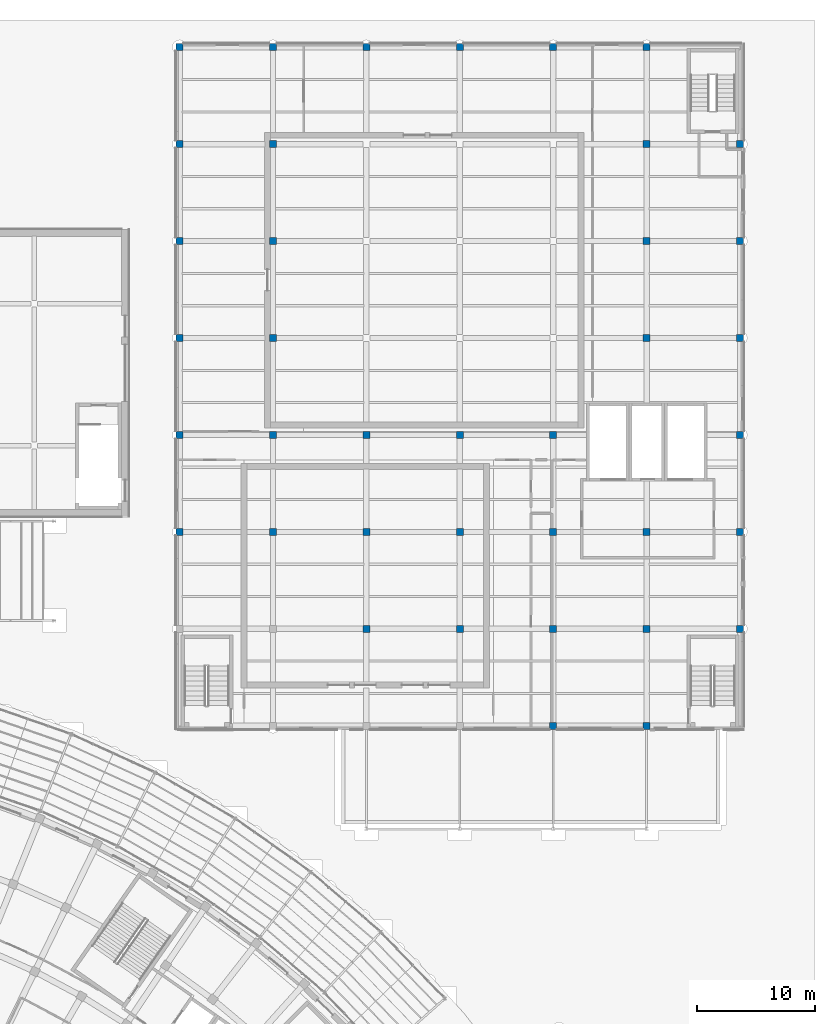
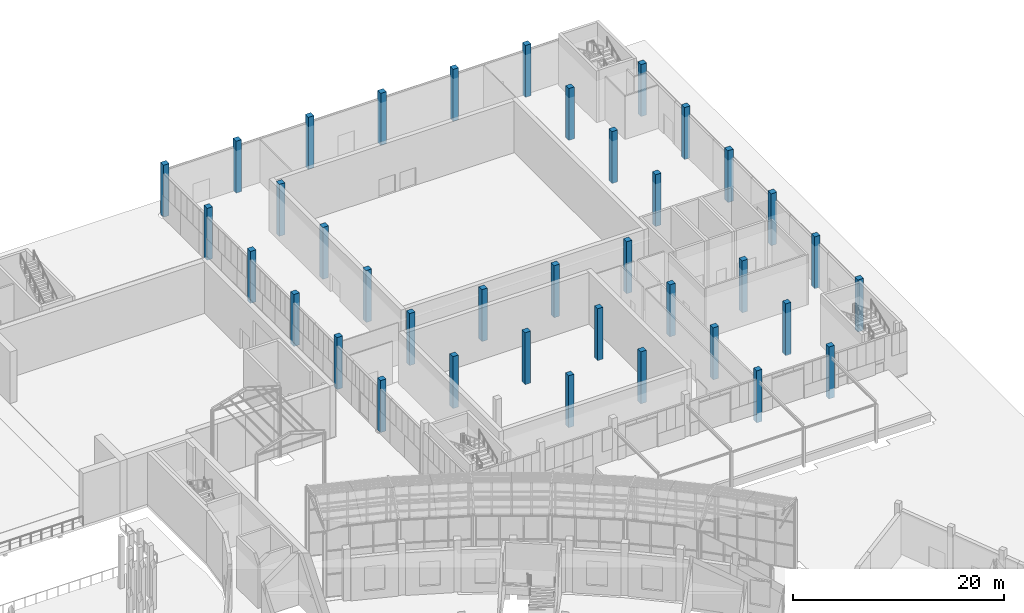
# One storey, part 20 of 155: 38 columns.
"""IFC4 building model written with IfcOpenShell, lengths in metres."""

from ifc_helpers import new_model, si_unit, direction, frame, origin, origin_2d, place, context, subcontext, project, spatial, rectangle, extrude, material, material_profile, profile_set, type_object, element, save


model = new_model("IFC4")

# Units and contexts
model_context = context("Model", 3, precision=1e-05, world=origin(), true_north=direction((0.0, 1.0)))
body_context = subcontext(model_context, "Body", "Model", "MODEL_VIEW")
ifc_project = project(units=[si_unit("LENGTHUNIT", "METRE"), si_unit("AREAUNIT", "SQUARE_METRE"), si_unit("VOLUMEUNIT", "CUBIC_METRE"), si_unit("PLANEANGLEUNIT", "RADIAN"), si_unit("MASSUNIT", "GRAM", prefix="KILO")], contexts=[model_context])

# Site, building, storey
site_placement = place(None, origin())
site = spatial("IfcSite", under=ifc_project, at=site_placement, CompositionType="ELEMENT")
building_placement = place(site_placement, origin())
building = spatial("IfcBuilding", under=site, at=building_placement, Name="Lunette Opera House", CompositionType="ELEMENT")
storey_placement = place(building_placement, origin())
storey = spatial("IfcBuildingStorey", under=building, at=storey_placement, Name="L00", CompositionType="ELEMENT", Elevation=0.0)

# Columns
ifc_material = material(Name="Concrete C35/45", Category="concrete")
ifc_material_profile = material_profile(ifc_material, rectangle(XDim=0.60009765625, YDim=0.60009765625, at=origin_2d()), Name="RC COLUMN 600X600")
ifc_profile_set = profile_set([ifc_material_profile], Name="Concrete C35/45")
column_type = type_object("IfcColumnType", Name="RC COLUMN 600X600", PredefinedType="COLUMN", material=ifc_profile_set)
for number, where, z_axis, x_axis, name in (
    (1, (136.300048828125, 94.699951171875, 0.0), (0.0, 0.0, 1.0), (1.0, 0.0, 0.0), "col-WW-L00-C02"),
    (2, (136.300048828125, 102.89990234375, 0.0), (0.0, 0.0, 1.0), (1.0, 0.0, 0.0), "col-WW-L00-C03"),
    (3, (136.300048828125, 111.10009765625, 0.0), (0.0, 0.0, 1.0), (1.0, 0.0, 0.0), "col-WW-L00-C04"),
    (4, (136.300048828125, 119.300048828125, 0.0), (0.0, 0.0, 1.0), (1.0, 0.0, 0.0), "col-WW-L00-C05"),
    (5, (136.300048828125, 127.5, 0.0), (0.0, 0.0, 1.0), (1.0, 0.0, 0.0), "col-WW-L00-C06"),
    (6, (136.300048828125, 135.699951171875, 0.0), (0.0, 0.0, 1.0), (1.0, 0.0, 0.0), "col-WW-L00-C07"),
    (7, (144.199951171875, 94.699951171875, 0.0), (0.0, 0.0, 1.0), (1.0, 0.0, 0.0), "col-WW-L00-C12"),
    (8, (144.199951171875, 102.89990234375, 0.0), (0.0, 0.0, 1.0), (1.0, 0.0, 0.0), "col-WW-L00-C13"),
    (9, (144.199951171875, 111.10009765625, 0.0), (0.0, 0.0, 1.0), (1.0, 0.0, 0.0), "col-WW-L00-C14"),
    (10, (144.199951171875, 119.300048828125, 0.0), (0.0, 0.0, 1.0), (1.0, 0.0, 0.0), "col-WW-L00-C15"),
    (11, (144.199951171875, 127.5, 0.0), (0.0, 0.0, 1.0), (1.0, 0.0, 0.0), "col-WW-L00-C16"),
    (12, (144.199951171875, 135.699951171875, 0.0), (0.0, 0.0, 1.0), (1.0, 0.0, 0.0), "col-WW-L00-C17"),
    (13, (152.10009765625, 86.5, 0.0), (0.0, 0.0, 1.0), (1.0, 0.0, 0.0), "col-WW-L00-C21"),
    (14, (152.10009765625, 94.699951171875, 0.0), (0.0, 0.0, 1.0), (1.0, 0.0, 0.0), "col-WW-L00-C22"),
    (15, (152.10009765625, 102.89990234375, 0.0), (0.0, 0.0, 1.0), (1.0, 0.0, 0.0), "col-WW-L00-C23"),
    (16, (152.10009765625, 135.699951171875, 0.0), (0.0, 0.0, 1.0), (1.0, 0.0, 0.0), "col-WW-L00-C27"),
    (17, (160.0, 86.5, 0.0), (0.0, 0.0, 1.0), (1.0, 0.0, 0.0), "col-WW-L00-C31"),
    (18, (160.0, 94.699951171875, 0.0), (0.0, 0.0, 1.0), (1.0, 0.0, 0.0), "col-WW-L00-C32"),
    (19, (160.0, 102.89990234375, 0.0), (0.0, 0.0, 1.0), (1.0, 0.0, 0.0), "col-WW-L00-C33"),
    (20, (160.0, 135.699951171875, 0.0), (0.0, 0.0, 1.0), (1.0, 0.0, 0.0), "col-WW-L00-C37"),
    (21, (167.89990234375, 78.300048828125, 0.0), (0.0, 0.0, 1.0), (1.0, 0.0, 0.0), "col-WW-L00-C40"),
    (22, (167.89990234375, 86.5, 0.0), (0.0, 0.0, 1.0), (1.0, 0.0, 0.0), "col-WW-L00-C41"),
    (23, (167.89990234375, 94.699951171875, 0.0), (0.0, 0.0, 1.0), (1.0, 0.0, 0.0), "col-WW-L00-C42"),
    (24, (167.89990234375, 102.89990234375, 0.0), (0.0, 0.0, 1.0), (1.0, 0.0, 0.0), "col-WW-L00-C43"),
    (25, (167.89990234375, 135.699951171875, 0.0), (0.0, 0.0, 1.0), (1.0, 0.0, 0.0), "col-WW-L00-C47"),
    (26, (175.800048828125, 78.300048828125, 0.0), (0.0, 0.0, 1.0), (1.0, 0.0, 0.0), "col-WW-L00-C50"),
    (27, (175.800048828125, 86.5, 0.0), (0.0, 0.0, 1.0), (1.0, 0.0, 0.0), "col-WW-L00-C51"),
    (28, (175.800048828125, 94.699951171875, 0.0), (0.0, 0.0, 1.0), (1.0, 0.0, 0.0), "col-WW-L00-C52"),
    (29, (175.800048828125, 111.10009765625, 0.0), (0.0, 0.0, 1.0), (1.0, 0.0, 0.0), "col-WW-L00-C54"),
    (30, (175.800048828125, 119.300048828125, 0.0), (0.0, 0.0, 1.0), (1.0, 0.0, 0.0), "col-WW-L00-C55"),
    (31, (175.800048828125, 127.5, 0.0), (0.0, 0.0, 1.0), (1.0, 0.0, 0.0), "col-WW-L00-C56"),
    (32, (175.800048828125, 135.699951171875, 0.0), (0.0, 0.0, 1.0), (1.0, 0.0, 0.0), "col-WW-L00-C57"),
    (33, (183.699951171875, 86.5, 0.0), (0.0, 0.0, 1.0), (1.0, 0.0, 0.0), "col-WW-L00-C61"),
    (34, (183.699951171875, 94.699951171875, 0.0), (0.0, 0.0, 1.0), (1.0, 0.0, 0.0), "col-WW-L00-C62"),
    (35, (183.699951171875, 102.89990234375, 0.0), (0.0, 0.0, 1.0), (1.0, 0.0, 0.0), "col-WW-L00-C63"),
    (36, (183.699951171875, 111.10009765625, 0.0), (0.0, 0.0, 1.0), (1.0, 0.0, 0.0), "col-WW-L00-C64"),
    (37, (183.699951171875, 119.300048828125, 0.0), (0.0, 0.0, 1.0), (1.0, 0.0, 0.0), "col-WW-L00-C65"),
    (38, (183.699951171875, 127.5, 0.0), (0.0, 0.0, 1.0), (1.0, 0.0, 0.0), "col-WW-L00-C66"),
):
    element("IfcColumn", number, at=place(storey_placement, frame(where, z_axis=z_axis, x_axis=x_axis)), inside=storey, type_object=column_type, Name=name, PredefinedType="COLUMN", context=body_context, shape_type="SweptSolid", body=[
        extrude(rectangle(XDim=0.60009765625, YDim=0.60009765625, at=origin_2d()), origin(), (0.0, 0.0, 1.0), 6.0),
    ])

save(model, "model.ifc")
